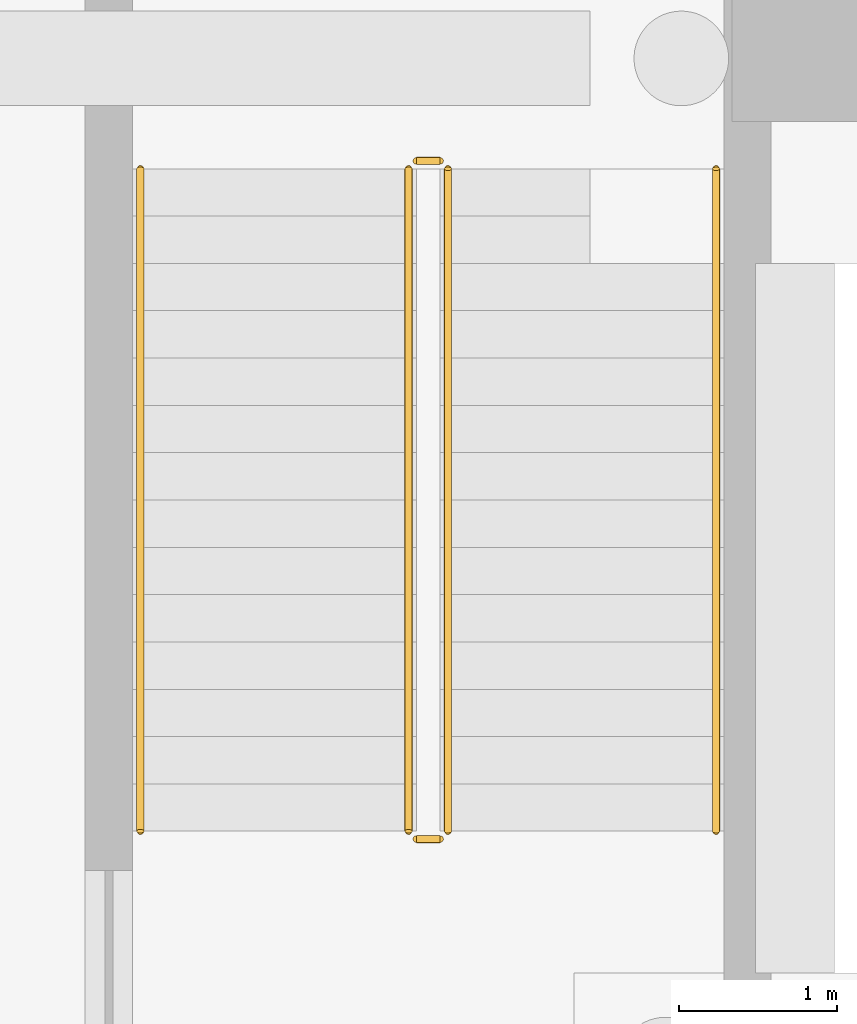
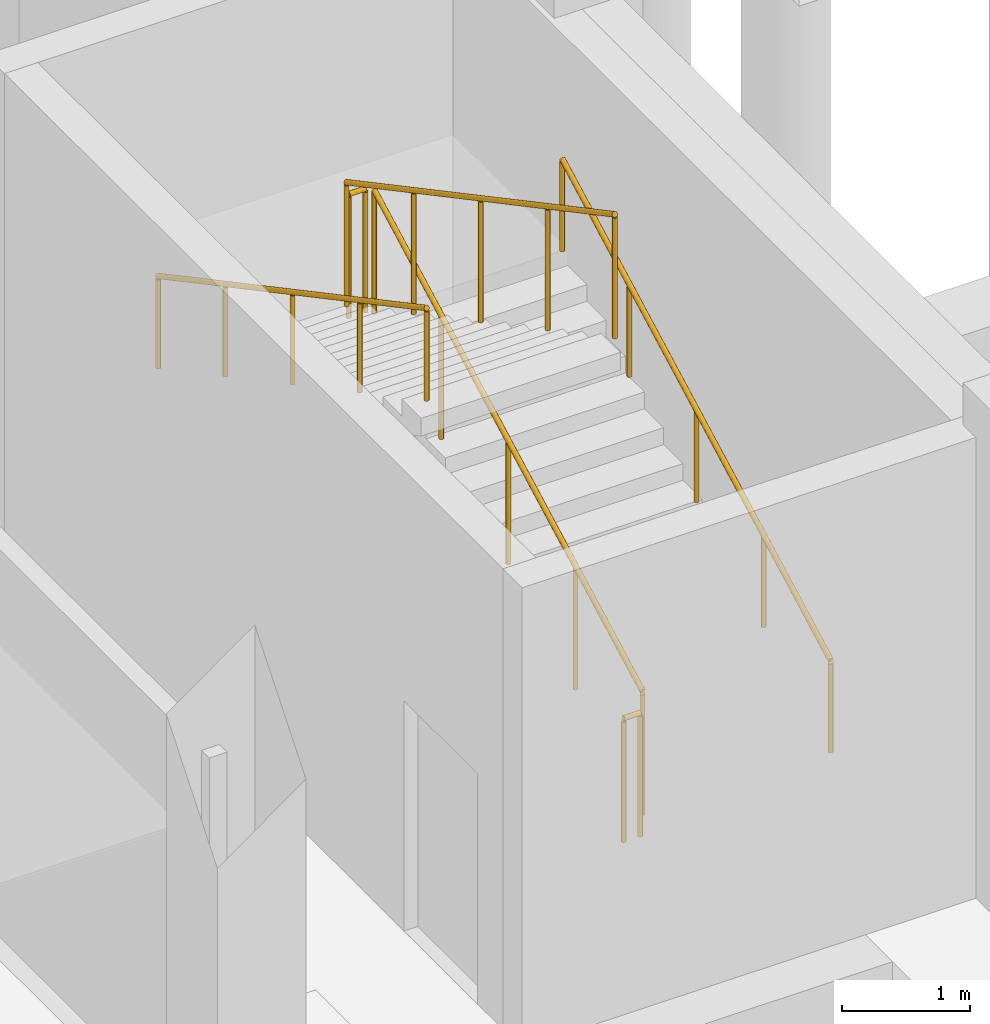
# One storey, part 37 of 38: 6 railings.
"""IFC4 building model written with IfcOpenShell, lengths in metres."""

import ifcopenshell
import ifcopenshell.guid

model = None  # the IFC model being written
_history = None  # IfcOwnerHistory: only IFC2X3 demands one
_inside = {}  # id of a spatial element -> (the spatial element, [elements in it])
_under = {}  # id of a project, library or spatial element -> (it, [spatial elements below it])
_declared = {}  # id of a project -> (the project, [libraries it declares])
_typed = {}  # id of a type object -> (the type object, [elements of that type])
_made_of = {}  # id of a material, layer set ... -> (it, [elements and type objects made of it])


def new_model(schema):
    """Start an empty IFC model of exactly this schema.

    Asked for "IFC4X3", IfcOpenShell would pick the latest addendum, in which some entities
    have other attributes; the version numbers below select the first issue.
    IFC2X3 requires an IfcOwnerHistory on every rooted entity: one is made here for all.
    """
    global model, _history
    if schema == "IFC4X3":
        model = ifcopenshell.file(schema_version=(4, 3, 0, 0))
    else:
        model = ifcopenshell.file(schema=schema)
    _inside.clear()
    _under.clear()
    _declared.clear()
    _typed.clear()
    _made_of.clear()
    _history = None
    if model.schema == "IFC2X3":
        org = make("IfcOrganization", Name="unknown")
        user = make(
            "IfcPersonAndOrganization",
            ThePerson=make("IfcPerson", FamilyName="unknown"),
            TheOrganization=org,
        )
        app = make(
            "IfcApplication",
            ApplicationDeveloper=org,
            Version="unknown",
            ApplicationFullName="unknown",
            ApplicationIdentifier="unknown",
        )
        _history = make(
            "IfcOwnerHistory",
            OwningUser=user,
            OwningApplication=app,
            ChangeAction="ADDED",
            CreationDate=0,
        )
    return model


def make(cls, **values):
    """One entity of the class cls with the attributes given. An attribute that is None is left unset."""
    return model.create_entity(
        cls, **{name: value for name, value in values.items() if value is not None}
    )


def rooted(cls, **values):
    """An entity with a GlobalId (a new one), such as an element, a storey or a relation."""
    return make(cls, GlobalId=ifcopenshell.guid.new(), OwnerHistory=_history, **values)


def si_unit(unit_type, name, prefix=None):
    """IfcSIUnit, for example si_unit("LENGTHUNIT", "METRE", prefix="MILLI")."""
    return make("IfcSIUnit", UnitType=unit_type, Prefix=prefix, Name=name)


def assignment(units):
    """IfcUnitAssignment: the units of a project."""
    return None if units is None else make("IfcUnitAssignment", Units=units)


def point(xyz):
    """IfcCartesianPoint."""
    return None if xyz is None else make("IfcCartesianPoint", Coordinates=xyz)


def direction(xyz):
    """IfcDirection."""
    return None if xyz is None else make("IfcDirection", DirectionRatios=xyz)


def frame(location, z_axis=None, x_axis=None):
    """IfcAxis2Placement3D, a coordinate frame: its origin and axes. An axis left out is left unset."""
    return make(
        "IfcAxis2Placement3D",
        Location=point(location),
        Axis=direction(z_axis),
        RefDirection=direction(x_axis),
    )


def frame_2d(location, x_axis=None):
    """IfcAxis2Placement2D, a coordinate frame in the plane: its origin and x axis."""
    return make(
        "IfcAxis2Placement2D", Location=point(location), RefDirection=direction(x_axis)
    )


def origin():
    """The frame at (0, 0, 0) with its axes left unset."""
    return frame((0.0, 0.0, 0.0))


def origin_2d():
    """The frame at (0, 0) in the plane with its x axis left unset."""
    return frame_2d((0.0, 0.0))


def place(relative_to, where):
    """IfcLocalPlacement: puts the frame where relative to a parent placement (None: the world)."""
    return make(
        "IfcLocalPlacement", PlacementRelTo=relative_to, RelativePlacement=where
    )


def context(
    kind, dimensions, precision=None, world=None, true_north=None, identifier=None
):
    """IfcGeometricRepresentationContext, for example the 3D "Model" context."""
    return make(
        "IfcGeometricRepresentationContext",
        ContextIdentifier=identifier,
        ContextType=kind,
        CoordinateSpaceDimension=dimensions,
        Precision=precision,
        WorldCoordinateSystem=world,
        TrueNorth=true_north,
    )


def subcontext(parent, identifier, kind, view, scale=None):
    """IfcGeometricRepresentationSubContext, for example "Body" below "Model"."""
    return make(
        "IfcGeometricRepresentationSubContext",
        ContextIdentifier=identifier,
        ContextType=kind,
        ParentContext=parent,
        TargetScale=scale,
        TargetView=view,
    )


def project(units=None, contexts=None):
    """IfcProject with its units and contexts."""
    return rooted(
        "IfcProject",
        Name="project",
        RepresentationContexts=contexts,
        UnitsInContext=assignment(units),
    )


def spatial(cls, under=None, at=None, **own):
    """A site, building, storey or space (cls), placed at a placement, below another one or the project."""
    s = rooted(cls, ObjectPlacement=at, **own)
    if under is not None:
        _under.setdefault(under.id(), (under, []))[1].append(s)
    return s


def profile(cls, at=None, kind="AREA", **sizes):
    """A parametric profile (cls). Its sizes go by their IFC names, for example OverallWidth=200.0."""
    return make(cls, ProfileType=kind, Position=at, **sizes)


def circle(**sizes):
    """IfcCircleProfileDef."""
    return profile("IfcCircleProfileDef", **sizes)


def extrude(swept, where, along, depth):
    """IfcExtrudedAreaSolid: the profile swept, set in the frame where, extruded along a direction by depth."""
    return make(
        "IfcExtrudedAreaSolid",
        SweptArea=swept,
        Position=where,
        ExtrudedDirection=direction(along),
        Depth=depth,
    )


def shape(context_of_items, identifier, shape_type, items):
    """IfcShapeRepresentation: the items that make up one representation, for example the "Body"."""
    return make(
        "IfcShapeRepresentation",
        ContextOfItems=context_of_items,
        RepresentationIdentifier=identifier,
        RepresentationType=shape_type,
        Items=items,
    )


def material(Name=None, Category=None):
    """IfcMaterial."""
    return make("IfcMaterial", Name=Name, Category=Category)


def made_of(thing, what):
    """Note that an element or type object is made of a material, layer set ...; save() writes the relation."""
    if what is not None:
        _made_of.setdefault(what.id(), (what, []))[1].append(thing)
    return thing


def type_object(cls, material=None, **own):
    """A type object (cls), such as IfcWallType, which elements share."""
    return made_of(rooted(cls, **own), material)


def element(
    cls,
    number,
    at=None,
    inside=None,
    cuts=None,
    type_object=None,
    material=None,
    context=None,
    identifier="Body",
    shape_type=None,
    held_by="IfcProductDefinitionShape",
    body=None,
    shapes=None,
    **own,
):
    """One element of the class cls, such as IfcWall. Its Tag is "e" and its number.

    at: its placement. inside: the storey or other place that contains it. cuts: it is an
    opening in that element (IfcRelVoidsElement). A single representation is given by context,
    identifier, shape_type and body (its items); several are given by shapes. held_by: the class
    of the entity that holds the representations. save() writes the other relations.
    """
    e = rooted(cls, Tag="e%d" % number, ObjectPlacement=at, **own)
    if body is not None:
        shapes = [shape(context, identifier, shape_type, body)]
    if shapes is not None:
        e.Representation = make(held_by, Representations=shapes)
    if inside is not None:
        _inside.setdefault(inside.id(), (inside, []))[1].append(e)
    if cuts is not None:
        rooted(
            "IfcRelVoidsElement", RelatingBuildingElement=cuts, RelatedOpeningElement=e
        )
    if type_object is not None:
        _typed.setdefault(type_object.id(), (type_object, []))[1].append(e)
    return made_of(e, material)


def aggregate(whole, parts):
    """IfcRelAggregates: a whole, such as a stair, and the parts it consists of."""
    return rooted("IfcRelAggregates", RelatingObject=whole, RelatedObjects=parts)


def save(model, path):
    """Write the relations noted so far, then the file.

    IfcRelAggregates (storeys below a building ...), IfcRelContainedInSpatialStructure (elements
    in a storey), IfcRelDefinesByType, IfcRelAssociatesMaterial and IfcRelDeclares: one each for
    every whole, place, type object, material and project.
    """
    for whole, parts in _under.values():
        aggregate(whole, parts)
    for where, things in _inside.values():
        rooted(
            "IfcRelContainedInSpatialStructure",
            RelatedElements=things,
            RelatingStructure=where,
        )
    for kind, things in _typed.values():
        rooted("IfcRelDefinesByType", RelatedObjects=things, RelatingType=kind)
    for what, things in _made_of.values():
        rooted("IfcRelAssociatesMaterial", RelatedObjects=things, RelatingMaterial=what)
    for by, libraries in _declared.values():
        rooted("IfcRelDeclares", RelatingContext=by, RelatedDefinitions=libraries)
    model.write(path)


model = new_model("IFC4")

# Units and contexts
model_context = context("Model", 3, precision=1e-05, world=origin(), true_north=direction((0.0, 1.0)))
body_context = subcontext(model_context, "Body", "Model", "MODEL_VIEW")
ifc_project = project(units=[si_unit("LENGTHUNIT", "METRE"), si_unit("AREAUNIT", "SQUARE_METRE"), si_unit("VOLUMEUNIT", "CUBIC_METRE"), si_unit("PLANEANGLEUNIT", "RADIAN"), si_unit("MASSUNIT", "GRAM", prefix="KILO")], contexts=[model_context])

# Site, building, storey
site_placement = place(None, origin())
site = spatial("IfcSite", under=ifc_project, at=site_placement, CompositionType="ELEMENT")
building_placement = place(site_placement, origin())
building = spatial("IfcBuilding", under=site, at=building_placement, Name="Valkovuoma Quantum and Materials Research Institute", CompositionType="ELEMENT")
storey_placement = place(building_placement, frame((0.0, 0.0, -4.800048828125)))
storey = spatial("IfcBuildingStorey", under=building, at=storey_placement, Name="B1", CompositionType="ELEMENT", Elevation=-4.800048828125)

# Railings
ifc_material_1 = material(Name="Painted steel stair balustrade", Category="steel")
railing_type_1 = type_object("IfcRailingType", Name="Rail-GRD-ST", PredefinedType="BALUSTRADE", material=ifc_material_1)
railing_1_placement = place(storey_placement, frame((41.0, 67.10009765625, 0.16015625)))
element("IfcRailing", 1, at=railing_1_placement, inside=storey, type_object=railing_type_1, Name="B1 ST-4 stair guard 1", PredefinedType="BALUSTRADE", context=body_context, shape_type="SweptSolid", body=[
    extrude(circle(Radius=0.02392578125, at=origin_2d()), frame((0.0, 0.0, 1.17578125), z_axis=(0.0, 0.882351521365, 0.470590897432), x_axis=(-1.0, 0.0, 0.0)), (0.0, 0.0, 1.0), 4.760009765625),
    extrude(circle(Radius=0.02099609375, at=origin_2d()), origin(), (0.0, 0.0, 1.0), 1.15185546875),
    extrude(circle(Radius=0.02099609375, at=origin_2d()), frame((0.0, 1.050048828125, 0.56005859375)), (0.0, 0.0, 1.0), 1.15185546875),
    extrude(circle(Radius=0.02099609375, at=origin_2d()), frame((0.0, 2.10009765625, 1.1201171875)), (0.0, 0.0, 1.0), 1.15185546875),
    extrude(circle(Radius=0.02099609375, at=origin_2d()), frame((0.0, 3.14990234375, 1.679931640625)), (0.0, 0.0, 1.0), 1.15185546875),
    extrude(circle(Radius=0.02099609375, at=origin_2d()), frame((0.0, 4.199951171875, 2.239990234375)), (0.0, 0.0, 1.0), 1.15185546875),
])
railing_2_placement = place(storey_placement, frame((40.949951171875, 71.35009765625, 2.400146484375)))
element("IfcRailing", 2, at=railing_2_placement, inside=storey, type_object=railing_type_1, Name="B1 ST-4 stair guard 2", PredefinedType="BALUSTRADE", context=body_context, shape_type="SweptSolid", body=[
    extrude(circle(Radius=0.02392578125, at=origin_2d()), frame((0.0, 0.0, 1.17578125), z_axis=(-1.0, 0.0, 0.0), x_axis=(0.0, -1.0, 0.0)), (0.0, 0.0, 1.0), 0.14990234375),
    extrude(circle(Radius=0.02099609375, at=origin_2d()), origin(), (0.0, 0.0, 1.0), 1.15185546875),
    extrude(circle(Radius=0.02099609375, at=origin_2d()), frame((-0.14990234375, 0.0, 0.0)), (0.0, 0.0, 1.0), 1.15185546875),
])
railing_3_placement = place(storey_placement, frame((40.75, 71.300048828125, 2.56005859375)))
element("IfcRailing", 3, at=railing_3_placement, inside=storey, type_object=railing_type_1, Name="B1 ST-4 stair guard 3", PredefinedType="BALUSTRADE", context=body_context, shape_type="SweptSolid", body=[
    extrude(circle(Radius=0.02392578125, at=origin_2d()), frame((0.0, 0.0, 1.17578125), z_axis=(0.0, -0.882351521365, 0.470590897432), x_axis=(1.0, 0.0, 0.0)), (0.0, 0.0, 1.0), 4.760009765625),
    extrude(circle(Radius=0.02099609375, at=origin_2d()), origin(), (0.0, 0.0, 1.0), 1.15185546875),
    extrude(circle(Radius=0.02099609375, at=origin_2d()), frame((0.0, -1.050048828125, 0.56005859375)), (0.0, 0.0, 1.0), 1.15185546875),
    extrude(circle(Radius=0.02099609375, at=origin_2d()), frame((0.0, -2.10009765625, 1.1201171875)), (0.0, 0.0, 1.0), 1.15185546875),
    extrude(circle(Radius=0.02099609375, at=origin_2d()), frame((0.0, -3.14990234375, 1.679931640625)), (0.0, 0.0, 1.0), 1.15185546875),
    extrude(circle(Radius=0.02099609375, at=origin_2d()), frame((0.0, -4.199951171875, 2.239990234375)), (0.0, 0.0, 1.0), 1.15185546875),
])
railing_4_placement = place(storey_placement, frame((40.949951171875, 67.050048828125, 0.0)))
element("IfcRailing", 4, at=railing_4_placement, inside=storey, type_object=railing_type_1, Name="B1 ST-4 stair guard 4", PredefinedType="BALUSTRADE", context=body_context, shape_type="SweptSolid", body=[
    extrude(circle(Radius=0.02392578125, at=origin_2d()), frame((0.0, 0.0, 1.17578125), z_axis=(-1.0, 0.0, 0.0), x_axis=(0.0, -1.0, 0.0)), (0.0, 0.0, 1.0), 0.14990234375),
    extrude(circle(Radius=0.02099609375, at=origin_2d()), origin(), (0.0, 0.0, 1.0), 1.15185546875),
    extrude(circle(Radius=0.02099609375, at=origin_2d()), frame((-0.14990234375, 0.0, 0.0)), (0.0, 0.0, 1.0), 1.15185546875),
])
ifc_material_2 = material(Name="Brushed stainless steel handrail", Category="steel")
railing_type_2 = type_object("IfcRailingType", Name="Rail-HR-ST", PredefinedType="HANDRAIL", material=ifc_material_2)
railing_5_placement = place(storey_placement, frame((42.699951171875, 67.10009765625, 0.16015625)))
element("IfcRailing", 5, at=railing_5_placement, inside=storey, type_object=railing_type_2, Name="B1 ST-4 stair handrail 1", PredefinedType="HANDRAIL", context=body_context, shape_type="SweptSolid", body=[
    extrude(circle(Radius=0.02392578125, at=origin_2d()), frame((0.0, 0.0, 0.8759765625), z_axis=(0.0, 0.882351521365, 0.470590897432), x_axis=(-1.0, 0.0, 0.0)), (0.0, 0.0, 1.0), 4.760009765625),
    extrude(circle(Radius=0.02099609375, at=origin_2d()), origin(), (0.0, 0.0, 1.0), 0.851806640625),
    extrude(circle(Radius=0.02099609375, at=origin_2d()), frame((0.0, 1.050048828125, 0.56005859375)), (0.0, 0.0, 1.0), 0.851806640625),
    extrude(circle(Radius=0.02099609375, at=origin_2d()), frame((0.0, 2.10009765625, 1.1201171875)), (0.0, 0.0, 1.0), 0.851806640625),
    extrude(circle(Radius=0.02099609375, at=origin_2d()), frame((0.0, 3.14990234375, 1.679931640625)), (0.0, 0.0, 1.0), 0.851806640625),
    extrude(circle(Radius=0.02099609375, at=origin_2d()), frame((0.0, 4.199951171875, 2.239990234375)), (0.0, 0.0, 1.0), 0.851806640625),
])
railing_6_placement = place(storey_placement, frame((39.050048828125, 71.300048828125, 2.56005859375)))
element("IfcRailing", 6, at=railing_6_placement, inside=storey, type_object=railing_type_2, Name="B1 ST-4 stair handrail 2", PredefinedType="HANDRAIL", context=body_context, shape_type="SweptSolid", body=[
    extrude(circle(Radius=0.02392578125, at=origin_2d()), frame((0.0, 0.0, 0.8759765625), z_axis=(0.0, -0.882351521365, 0.470590897432), x_axis=(1.0, 0.0, 0.0)), (0.0, 0.0, 1.0), 4.760009765625),
    extrude(circle(Radius=0.02099609375, at=origin_2d()), origin(), (0.0, 0.0, 1.0), 0.851806640625),
    extrude(circle(Radius=0.02099609375, at=origin_2d()), frame((0.0, -1.050048828125, 0.56005859375)), (0.0, 0.0, 1.0), 0.851806640625),
    extrude(circle(Radius=0.02099609375, at=origin_2d()), frame((0.0, -2.10009765625, 1.1201171875)), (0.0, 0.0, 1.0), 0.851806640625),
    extrude(circle(Radius=0.02099609375, at=origin_2d()), frame((0.0, -3.14990234375, 1.679931640625)), (0.0, 0.0, 1.0), 0.851806640625),
    extrude(circle(Radius=0.02099609375, at=origin_2d()), frame((0.0, -4.199951171875, 2.239990234375)), (0.0, 0.0, 1.0), 0.851806640625),
])

save(model, "model.ifc")
